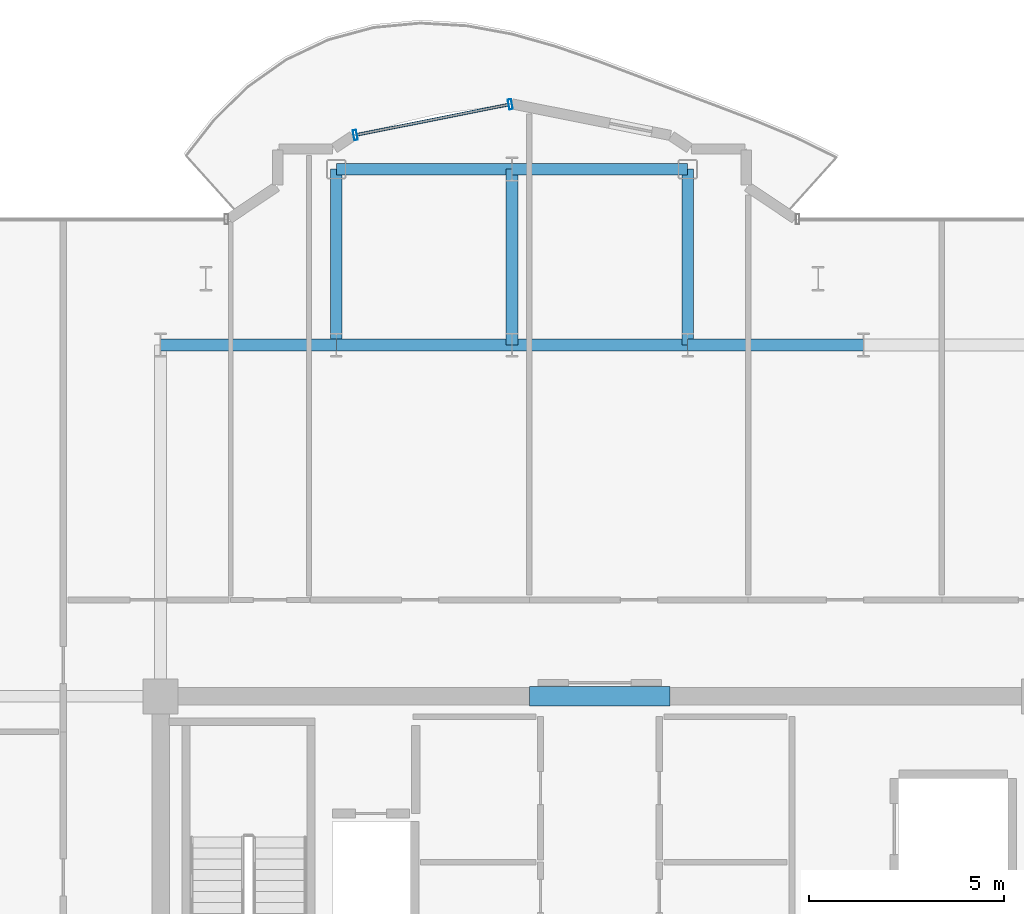
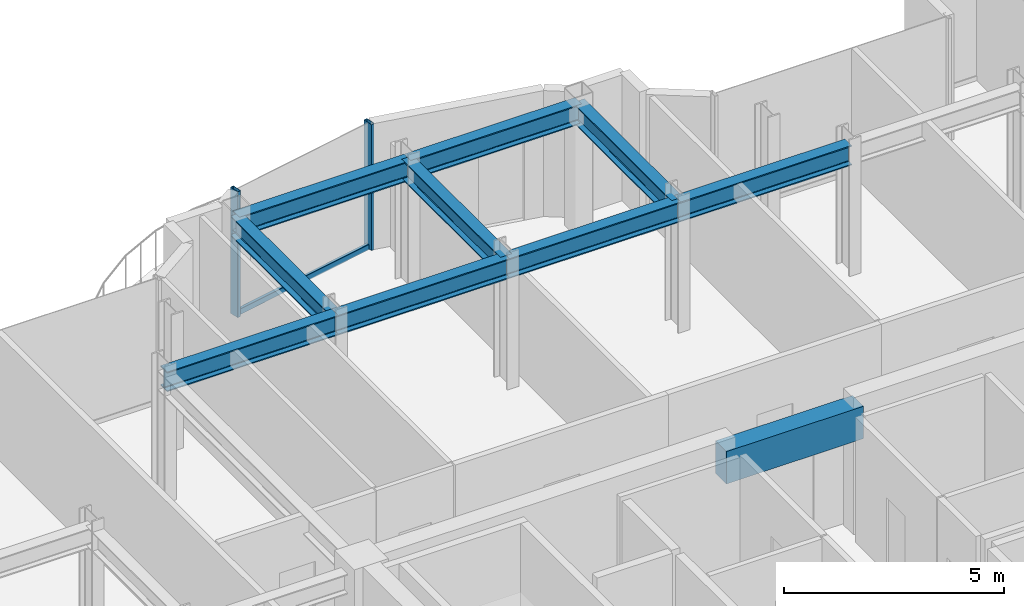
# One storey, part 10 of 18: 10 beams, 3 members, 1 element without a shape of its own.
"""IFC4 building model written with IfcOpenShell, lengths in metres."""

from ifc_helpers import new_model, si_unit, direction, frame, origin, origin_2d, place, context, subcontext, project, spatial, rectangle, hollow_rectangle, i_section, extrude, source, transform, mapped, material, layer, layer_set, material_profile, profile_set, type_object, element, aggregate, save


model = new_model("IFC4")

# Units and contexts
model_context = context("Model", 3, precision=1e-05, world=origin(), true_north=direction((0.0, 1.0)))
body_context = subcontext(model_context, "Body", "Model", "MODEL_VIEW")
ifc_project = project(units=[si_unit("LENGTHUNIT", "METRE"), si_unit("AREAUNIT", "SQUARE_METRE"), si_unit("VOLUMEUNIT", "CUBIC_METRE"), si_unit("PLANEANGLEUNIT", "RADIAN"), si_unit("MASSUNIT", "GRAM", prefix="KILO")], contexts=[model_context])

# Site, building, storey
site_placement = place(None, origin())
site = spatial("IfcSite", under=ifc_project, at=site_placement, CompositionType="ELEMENT")
building_placement = place(site_placement, origin())
building = spatial("IfcBuilding", under=site, at=building_placement, Name="Nefas-Gora Pilgrimage Tower", CompositionType="ELEMENT")
storey_placement = place(building_placement, frame((0.0, 0.0, 314.0)))
storey = spatial("IfcBuildingStorey", under=building, at=storey_placement, Name="L79", CompositionType="ELEMENT", Elevation=314.0)

# Beams
ifc_material_1 = material(Name="Concrete C50/60", Category="concrete")
ifc_material_profile_1 = material_profile(ifc_material_1, rectangle(XDim=0.5, YDim=0.89990234375, at=origin_2d()), Name="RC 500x900")
ifc_profile_set_1 = profile_set([ifc_material_profile_1], Name="Concrete C50/60")
beam_type_1 = type_object("IfcBeamType", Name="BM-LIN-RC900", PredefinedType="LINTEL", material=ifc_profile_set_1)
shared_shape_1 = source(origin(), body_context, "Body", "SweptSolid", [
    extrude(rectangle(XDim=0.5, YDim=0.89990234375, at=origin_2d()), origin(), (0.0, 0.0, 1.0), 3.60009765625),
])
beam_placement = place(storey_placement, frame((-1.800048828125, 9.0, 3.050048828125), z_axis=(1.0, 0.0, 0.0), x_axis=(0.0, 1.0, 0.0)))
element("IfcBeam", 1, at=beam_placement, inside=storey, type_object=beam_type_1, Name="L79 Core Coupling Lintel Beam N", PredefinedType="LINTEL", context=body_context, shape_type="MappedRepresentation", body=[
    mapped(shared_shape_1, transform((0.0, 0.0, 0.0), x_axis=(1.0, 0.0, 0.0), y_axis=(0.0, 1.0, 0.0), z_axis=(0.0, 0.0, 1.0), scale=1.0)),
])
ifc_material_2 = material(Name="Steel S355", Category="steel")
ifc_material_profile_2 = material_profile(ifc_material_2, i_section(OverallWidth=0.300048828125, OverallDepth=0.550048828125, WebThickness=0.014892578125, FlangeThickness=0.029052734375, FilletRadius=0.027099609375, at=origin_2d()), Name="HEB 550")
ifc_profile_set_2 = profile_set([ifc_material_profile_2], Name="Steel S355")
beam_type_2 = type_object("IfcBeamType", Name="BM-GIR-HEB550", PredefinedType="BEAM", material=ifc_profile_set_2)
shared_shape_2 = source(origin(), body_context, "Body", "SweptSolid", [
    extrude(i_section(OverallWidth=0.300048828125, OverallDepth=0.550048828125, WebThickness=0.014892578125, FlangeThickness=0.029052734375, FilletRadius=0.027099609375, at=origin_2d()), origin(), (0.0, 0.0, 1.0), 4.5),
])
for number, where, z_axis, x_axis, name in (
    (2, (-11.25, 18.0, 3.22509765625), (1.0, 0.0, 0.0), (0.0, 1.0, 0.0), "L79 G-05 beam"),
    (3, (-6.75, 18.0, 3.22509765625), (0.0, 1.0, 0.0), (-1.0, 0.0, 0.0), "L79 G-05 beam"),
    (4, (-6.75, 18.0, 3.22509765625), (1.0, 0.0, 0.0), (0.0, 1.0, 0.0), "L79 G-05 beam"),
    (5, (-6.75, 22.5, 3.22509765625), (1.0, 0.0, 0.0), (0.0, 1.0, 0.0), "L79 G-05 beam"),
    (6, (-2.25, 18.0, 3.22509765625), (0.0, 1.0, 0.0), (-1.0, 0.0, 0.0), "L79 G-05 beam"),
    (7, (-2.25, 18.0, 3.22509765625), (1.0, 0.0, 0.0), (0.0, 1.0, 0.0), "L79 G-05 beam"),
    (8, (-2.25, 22.5, 3.22509765625), (1.0, 0.0, 0.0), (0.0, 1.0, 0.0), "L79 G-05 beam"),
    (9, (2.25, 18.0, 3.22509765625), (0.0, 1.0, 0.0), (-1.0, 0.0, 0.0), "L79 G-05 beam"),
    (10, (2.25, 18.0, 3.22509765625), (1.0, 0.0, 0.0), (0.0, 1.0, 0.0), "L79 G-05 beam"),
):
    element("IfcBeam", number, at=place(storey_placement, frame(where, z_axis=z_axis, x_axis=x_axis)), inside=storey, type_object=beam_type_2, Name=name, PredefinedType="BEAM", context=body_context, shape_type="MappedRepresentation", body=[
        mapped(shared_shape_2, transform((0.0, 0.0, 0.0), x_axis=(1.0, 0.0, 0.0), y_axis=(0.0, 1.0, 0.0), z_axis=(0.0, 0.0, 1.0), scale=1.0)),
    ])

# Curtain wall, members
ifc_material_3 = material(Name="Dark ceramic-fritted solar-control aluminium-glass curtain wall", Category="aluminium")
ifc_layer = layer(ifc_material_3, 0.219970703125)
ifc_layer_set = layer_set([ifc_layer], Name="Dark ceramic-fritted solar-control aluminium-glass curtain wall")
curtain_wall_type = type_object("IfcCurtainWallType", Name="CW-SYS-5", PredefinedType="NOTDEFINED", material=ifc_layer_set)
curtain_wall_placement = place(storey_placement, origin())
curtain_wall = element("IfcCurtainWall", 11, at=curtain_wall_placement, inside=storey, type_object=curtain_wall_type, Name="L79 Unitised Curtain Wall CW5", PredefinedType="NOTDEFINED")
ifc_material_4 = material(Name="Anodised architectural aluminium", Category="aluminium")
ifc_material_profile_3 = material_profile(ifc_material_4, hollow_rectangle(XDim=0.080078125, YDim=0.159912109375, WallThickness=0.00439453125, InnerFilletRadius=0.00439453125, OuterFilletRadius=0.009033203125, at=origin_2d()), Name="ALU TRANSOM 80x160")
ifc_profile_set_3 = profile_set([ifc_material_profile_3], Name="Anodised architectural aluminium")
member_type_1 = type_object("IfcMemberType", Name="CWM-TRN-5", PredefinedType="USERDEFINED", material=ifc_profile_set_3)
shared_shape_3 = source(origin(), body_context, "Body", "SweptSolid", [
    extrude(hollow_rectangle(XDim=0.080078125, YDim=0.159912109375, WallThickness=0.00439453125, InnerFilletRadius=0.00439453125, OuterFilletRadius=0.009033203125, at=origin_2d()), origin(), (0.0, 0.0, 1.0), 3.95654296875),
])
member_1_placement = place(storey_placement, frame((-2.33837890625, 24.15478515625, 0.050048828125), z_axis=(-0.980781880918, -0.195107411605, 0.0), x_axis=(0.195107411605, -0.980781880918, 0.0)))
member_1 = element("IfcMember", 12, at=member_1_placement, type_object=member_type_1, Name="CW5 Spandrel Transom", ObjectType="TRANSOM", PredefinedType="USERDEFINED", context=body_context, shape_type="MappedRepresentation", body=[
    mapped(shared_shape_3, transform((0.0, 0.0, 0.0), x_axis=(1.0, 0.0, 0.0), y_axis=(0.0, 1.0, 0.0), z_axis=(0.0, 0.0, 1.0), scale=1.0)),
])
ifc_material_profile_4 = material_profile(ifc_material_4, hollow_rectangle(XDim=0.090087890625, YDim=0.260009765625, WallThickness=0.006103515625, InnerFilletRadius=0.006103515625, OuterFilletRadius=0.011962890625, at=origin_2d()), Name="ALU MULLION 90x260")
ifc_profile_set_4 = profile_set([ifc_material_profile_4], Name="Anodised architectural aluminium")
member_type_2 = type_object("IfcMemberType", Name="CWM-MUL-5", PredefinedType="MULLION", material=ifc_profile_set_4)
shared_shape_4 = source(origin(), body_context, "Body", "SweptSolid", [
    extrude(hollow_rectangle(XDim=0.090087890625, YDim=0.260009765625, WallThickness=0.006103515625, InnerFilletRadius=0.006103515625, OuterFilletRadius=0.011962890625, at=origin_2d()), origin(), (0.0, 0.0, 1.0), 3.5),
])
member_2_placement = place(storey_placement, frame((-2.294189453125, 24.16357421875, 0.0), z_axis=(0.0, 0.0, 1.0), x_axis=(-0.980782896852, -0.195102304554, 0.0)))
member_2 = element("IfcMember", 13, at=member_2_placement, type_object=member_type_2, Name="CW5 Mullion 1", PredefinedType="MULLION", context=body_context, shape_type="MappedRepresentation", body=[
    mapped(shared_shape_4, transform((0.0, 0.0, 0.0), x_axis=(1.0, 0.0, 0.0), y_axis=(0.0, 1.0, 0.0), z_axis=(0.0, 0.0, 1.0), scale=1.0)),
])
member_3_placement = place(storey_placement, frame((-6.26318359375, 23.3740234375, 0.0), z_axis=(0.0, 0.0, 1.0), x_axis=(-0.980782896852, -0.195102304554, 0.0)))
member_3 = element("IfcMember", 14, at=member_3_placement, type_object=member_type_2, Name="CW5 Mullion 2", PredefinedType="MULLION", context=body_context, shape_type="MappedRepresentation", body=[
    mapped(shared_shape_4, transform((0.0, 0.0, 0.0), x_axis=(1.0, 0.0, 0.0), y_axis=(0.0, 1.0, 0.0), z_axis=(0.0, 0.0, 1.0), scale=1.0)),
])
aggregate(curtain_wall, [member_2, member_3, member_1])

save(model, "model.ifc")
